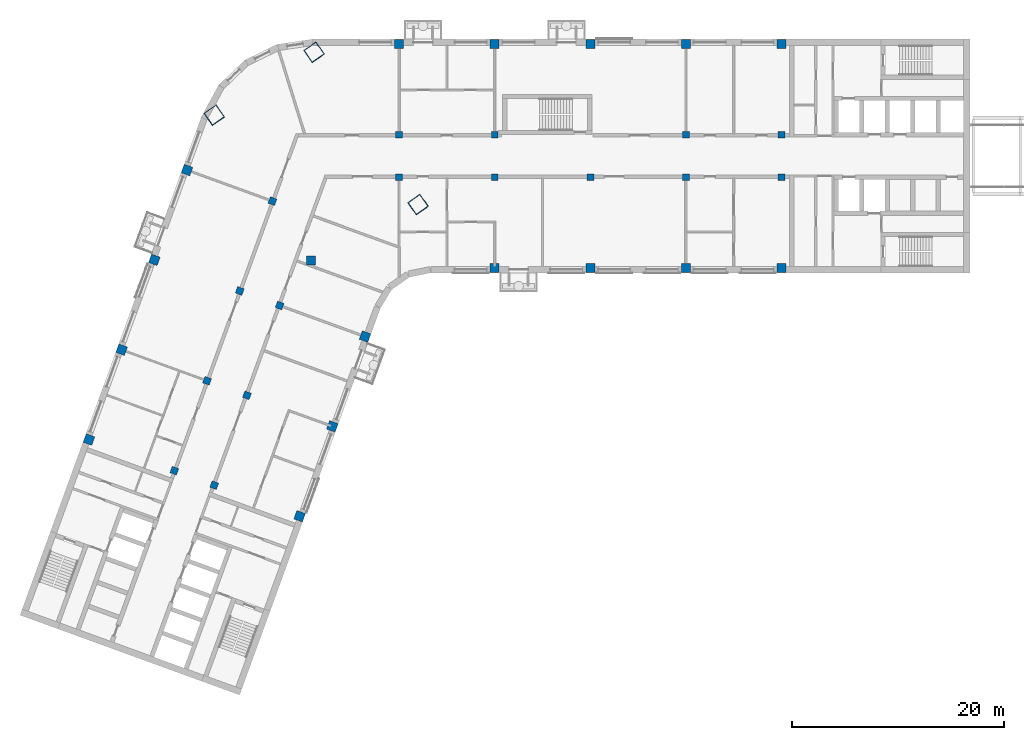
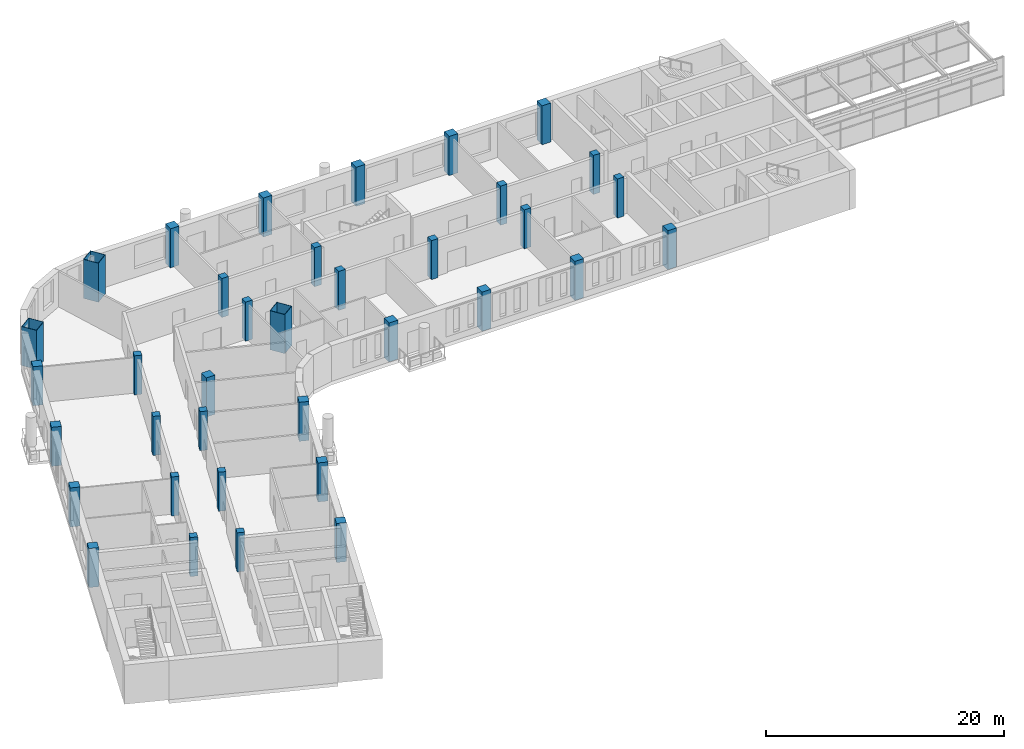
# One storey, part 1 of 12: 36 columns.
"""IFC4 building model written with IfcOpenShell, lengths in metres."""

from ifc_helpers import new_model, si_unit, direction, frame, origin, origin_2d, place, context, subcontext, project, spatial, rectangle, hollow_rectangle, extrude, material, material_profile, profile_set, type_object, element, save


model = new_model("IFC4")

# Units and contexts
model_context = context("Model", 3, precision=1e-05, world=origin(), true_north=direction((0.0, 1.0)))
body_context = subcontext(model_context, "Body", "Model", "MODEL_VIEW")
ifc_project = project(units=[si_unit("LENGTHUNIT", "METRE"), si_unit("AREAUNIT", "SQUARE_METRE"), si_unit("VOLUMEUNIT", "CUBIC_METRE"), si_unit("PLANEANGLEUNIT", "RADIAN"), si_unit("MASSUNIT", "GRAM", prefix="KILO")], contexts=[model_context])

# Site, building, storey
site_placement = place(None, origin())
site = spatial("IfcSite", under=ifc_project, at=site_placement, CompositionType="ELEMENT")
building_placement = place(site_placement, origin())
building = spatial("IfcBuilding", under=site, at=building_placement, Name="Skarvind Civic Tower", CompositionType="ELEMENT")
storey_placement = place(building_placement, frame((0.0, 0.0, 117.0)))
storey = spatial("IfcBuildingStorey", under=building, at=storey_placement, Name="L27", CompositionType="ELEMENT", Elevation=117.0)

# Columns
ifc_material_1 = material(Name="Concrete C60", Category="concrete")
ifc_material_profile_1 = material_profile(ifc_material_1, rectangle(XDim=0.64990234375, YDim=0.64990234375, at=origin_2d()), Name="RC-650x650")
ifc_profile_set_1 = profile_set([ifc_material_profile_1], Name="Concrete C60")
column_type_1 = type_object("IfcColumnType", Name="Column RC-650x650 C60", PredefinedType="COLUMN", material=ifc_profile_set_1)
for number, where, z_axis, x_axis, name in (
    (1, (54.25, 130.0, 0.0), (0.0, 0.0, 1.0), (1.0, 0.0, 0.0), "Column wing 1 north inner 02 L27"),
    (2, (63.25, 130.0, 0.0), (0.0, 0.0, 1.0), (1.0, 0.0, 0.0), "Column wing 1 north inner 03 L27"),
    (3, (81.25, 130.0, 0.0), (0.0, 0.0, 1.0), (1.0, 0.0, 0.0), "Column wing 1 north inner 05 L27"),
    (4, (90.25, 130.0, 0.0), (0.0, 0.0, 1.0), (1.0, 0.0, 0.0), "Column wing 1 north inner 06 L27"),
    (5, (54.25, 126.0, 0.0), (0.0, 0.0, 1.0), (1.0, 0.0, 0.0), "Column wing 1 south inner 02 L27"),
    (6, (63.25, 126.0, 0.0), (0.0, 0.0, 1.0), (1.0, 0.0, 0.0), "Column wing 1 south inner 03 L27"),
    (7, (72.25, 126.0, 0.0), (0.0, 0.0, 1.0), (1.0, 0.0, 0.0), "Column wing 1 south inner 04 L27"),
    (8, (81.25, 126.0, 0.0), (0.0, 0.0, 1.0), (1.0, 0.0, 0.0), "Column wing 1 south inner 05 L27"),
    (9, (90.25, 126.0, 0.0), (0.0, 0.0, 1.0), (1.0, 0.0, 0.0), "Column wing 1 south inner 06 L27"),
    (10, (43.005615234375, 113.92529296875, 0.0), (0.0, 0.0, 1.0), (-0.342020143326, -0.939692620786, 0.0), "Column wing 2 left inner 02 L27"),
    (11, (39.927490234375, 105.468017578125, 0.0), (0.0, 0.0, 1.0), (-0.342020143326, -0.939692620786, 0.0), "Column wing 2 left inner 03 L27"),
    (12, (36.84912109375, 97.010986328125, 0.0), (0.0, 0.0, 1.0), (-0.342020143326, -0.939692620786, 0.0), "Column wing 2 left inner 04 L27"),
    (13, (42.324951171875, 123.750732421875, 0.0), (0.0, 0.0, 1.0), (-0.342020143326, -0.939692620786, 0.0), "Column wing 2 right inner 01 L27"),
    (14, (39.246826171875, 115.29345703125, 0.0), (0.0, 0.0, 1.0), (-0.342020143326, -0.939692620786, 0.0), "Column wing 2 right inner 02 L27"),
    (15, (36.168701171875, 106.836181640625, 0.0), (0.0, 0.0, 1.0), (-0.342020143326, -0.939692620786, 0.0), "Column wing 2 right inner 03 L27"),
    (16, (33.090576171875, 98.37890625, 0.0), (0.0, 0.0, 1.0), (-0.342020143326, -0.939692620786, 0.0), "Column wing 2 right inner 04 L27"),
):
    element("IfcColumn", number, at=place(storey_placement, frame(where, z_axis=z_axis, x_axis=x_axis)), inside=storey, type_object=column_type_1, Name=name, PredefinedType="COLUMN", context=body_context, shape_type="SweptSolid", body=[
        extrude(rectangle(XDim=0.64990234375, YDim=0.64990234375, at=origin_2d()), origin(), (0.0, 0.0, 1.0), 4.0),
    ])
ifc_material_2 = material(Name="Concrete C80", Category="concrete")
ifc_material_profile_2 = material_profile(ifc_material_2, rectangle(XDim=0.85009765625, YDim=0.85009765625, at=origin_2d()), Name="RC-850x850")
ifc_profile_set_2 = profile_set([ifc_material_profile_2], Name="Concrete C80")
column_type_2 = type_object("IfcColumnType", Name="Column RC-850x850 C80", PredefinedType="COLUMN", material=ifc_profile_set_2)
for number, where, z_axis, x_axis, name in (
    (17, (54.25, 138.550048828125, 0.0), (0.0, 0.0, 1.0), (1.0, 0.0, 0.0), "Column wing 1 north perimeter 02 L27"),
    (18, (63.25, 138.550048828125, 0.0), (0.0, 0.0, 1.0), (1.0, 0.0, 0.0), "Column wing 1 north perimeter 03 L27"),
    (19, (72.25, 138.550048828125, 0.0), (0.0, 0.0, 1.0), (1.0, 0.0, 0.0), "Column wing 1 north perimeter 04 L27"),
    (20, (81.25, 138.550048828125, 0.0), (0.0, 0.0, 1.0), (1.0, 0.0, 0.0), "Column wing 1 north perimeter 05 L27"),
    (21, (90.25, 138.550048828125, 0.0), (0.0, 0.0, 1.0), (1.0, 0.0, 0.0), "Column wing 1 north perimeter 06 L27"),
    (22, (45.95166015625, 118.151611328125, 0.0), (0.0, 0.0, 1.0), (1.0, 0.0, 0.0), "Column wing 1 south perimeter 01 L27"),
    (23, (63.25, 117.449951171875, 0.0), (0.0, 0.0, 1.0), (1.0, 0.0, 0.0), "Column wing 1 south perimeter 03 L27"),
    (24, (72.25, 117.449951171875, 0.0), (0.0, 0.0, 1.0), (1.0, 0.0, 0.0), "Column wing 1 south perimeter 04 L27"),
    (25, (81.25, 117.449951171875, 0.0), (0.0, 0.0, 1.0), (1.0, 0.0, 0.0), "Column wing 1 south perimeter 05 L27"),
    (26, (90.25, 117.449951171875, 0.0), (0.0, 0.0, 1.0), (1.0, 0.0, 0.0), "Column wing 1 south perimeter 06 L27"),
    (27, (51.0400390625, 111.0009765625, 0.0), (0.0, 0.0, 1.0), (-0.342020143326, -0.939692620786, 0.0), "Column wing 2 left perimeter 02 L27"),
    (28, (47.961669921875, 102.5439453125, 0.0), (0.0, 0.0, 1.0), (-0.342020143326, -0.939692620786, 0.0), "Column wing 2 left perimeter 03 L27"),
    (29, (44.883544921875, 94.086669921875, 0.0), (0.0, 0.0, 1.0), (-0.342020143326, -0.939692620786, 0.0), "Column wing 2 left perimeter 04 L27"),
    (30, (34.29052734375, 126.6748046875, 0.0), (0.0, 0.0, 1.0), (-0.342020143326, -0.939692620786, 0.0), "Column wing 2 right perimeter 01 L27"),
    (31, (31.21240234375, 118.2177734375, 0.0), (0.0, 0.0, 1.0), (-0.342020143326, -0.939692620786, 0.0), "Column wing 2 right perimeter 02 L27"),
    (32, (28.13427734375, 109.760498046875, 0.0), (0.0, 0.0, 1.0), (-0.342020143326, -0.939692620786, 0.0), "Column wing 2 right perimeter 03 L27"),
    (33, (25.05615234375, 101.30322265625, 0.0), (0.0, 0.0, 1.0), (-0.342020143326, -0.939692620786, 0.0), "Column wing 2 right perimeter 04 L27"),
):
    element("IfcColumn", number, at=place(storey_placement, frame(where, z_axis=z_axis, x_axis=x_axis)), inside=storey, type_object=column_type_2, Name=name, PredefinedType="COLUMN", context=body_context, shape_type="SweptSolid", body=[
        extrude(rectangle(XDim=0.85009765625, YDim=0.85009765625, at=origin_2d()), origin(), (0.0, 0.0, 1.0), 4.0),
    ])
ifc_material_3 = material(Name="Composite concrete-filled steel tube, Steel SM355 with Concrete C80", Category="concrete")
ifc_material_profile_3 = material_profile(ifc_material_3, hollow_rectangle(XDim=1.39990234375, YDim=1.39990234375, WallThickness=0.0400390625, at=origin_2d()), Name="BOX-1400x1400x40")
ifc_profile_set_3 = profile_set([ifc_material_profile_3], Name="Composite concrete-filled steel tube, Steel SM355 with Concrete C80")
column_type_3 = type_object("IfcColumnType", Name="Mega column BOX-1400x1400x40 filled C80", PredefinedType="COLUMN", material=ifc_profile_set_3)
for number, where, z_axis, x_axis, name in (
    (34, (36.845947265625, 131.837646484375, 0.0), (0.0, 0.0, 1.0), (0.573576436351, -0.819152044289, 0.0), "Mega column 1 L27"),
    (35, (46.2470703125, 137.762451171875, 0.0), (0.0, 0.0, 1.0), (0.573576436351, -0.819152044289, 0.0), "Mega column 2 L27"),
    (36, (56.0361328125, 123.43017578125, 0.0), (0.0, 0.0, 1.0), (0.573576436351, -0.819152044289, 0.0), "Mega column 4 L27"),
):
    element("IfcColumn", number, at=place(storey_placement, frame(where, z_axis=z_axis, x_axis=x_axis)), inside=storey, type_object=column_type_3, Name=name, PredefinedType="COLUMN", context=body_context, shape_type="SweptSolid", body=[
        extrude(hollow_rectangle(XDim=1.39990234375, YDim=1.39990234375, WallThickness=0.0400390625, at=origin_2d()), origin(), (0.0, 0.0, 1.0), 4.0),
    ])

save(model, "model.ifc")
